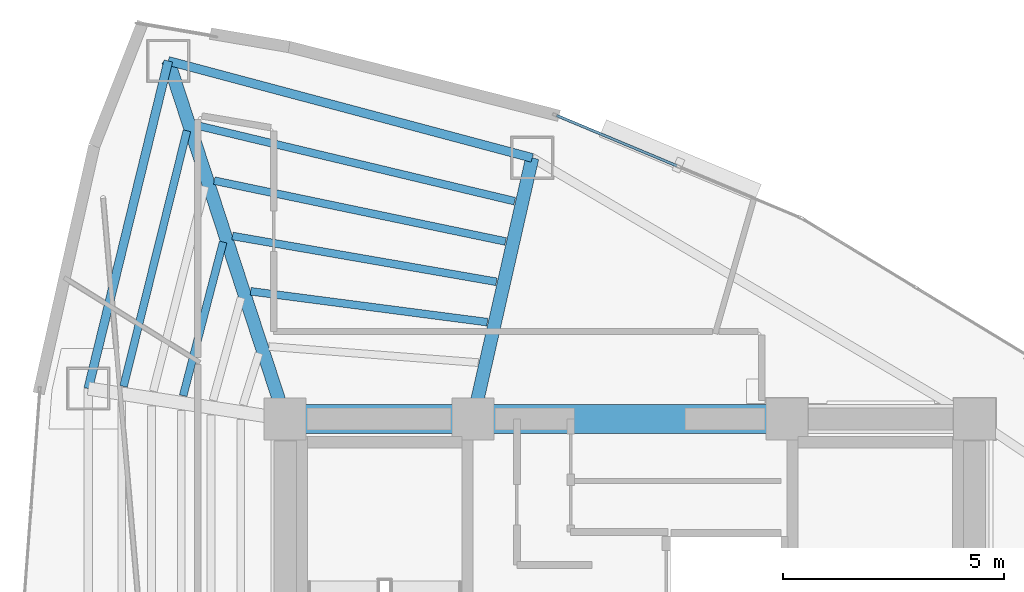
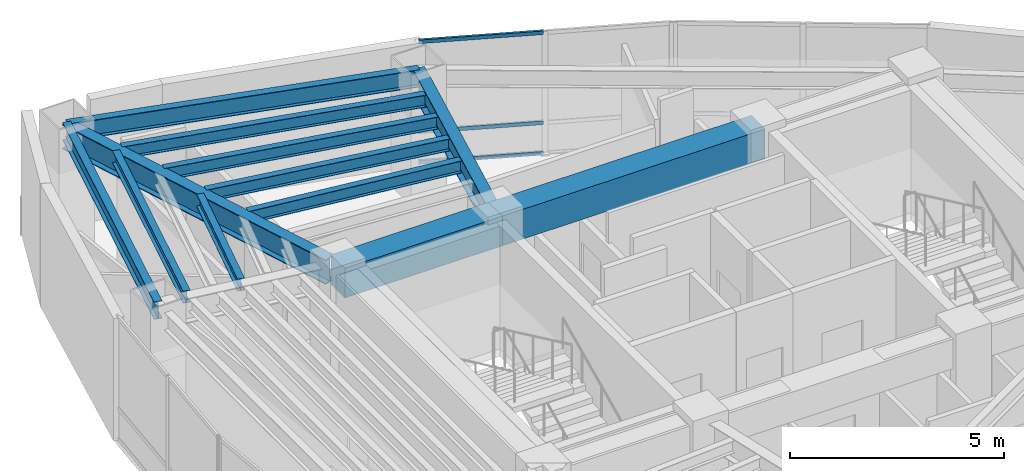
# One storey, part 8 of 16: 12 beams, 3 members, 1 element without a shape of its own.
"""IFC4 building model written with IfcOpenShell, lengths in metres."""

from ifc_helpers import new_model, si_unit, direction, frame, origin, origin_2d, place, context, subcontext, project, spatial, rectangle, hollow_rectangle, i_section, extrude, material, layer, layer_set, material_profile, profile_set, type_object, element, aggregate, save


model = new_model("IFC4")

# Units and contexts
model_context = context("Model", 3, precision=1e-05, world=origin(), true_north=direction((0.0, 1.0)))
body_context = subcontext(model_context, "Body", "Model", "MODEL_VIEW")
ifc_project = project(units=[si_unit("LENGTHUNIT", "METRE"), si_unit("AREAUNIT", "SQUARE_METRE"), si_unit("VOLUMEUNIT", "CUBIC_METRE"), si_unit("PLANEANGLEUNIT", "RADIAN"), si_unit("MASSUNIT", "GRAM", prefix="KILO")], contexts=[model_context])

# Site, building, storey
site_placement = place(None, origin())
site = spatial("IfcSite", under=ifc_project, at=site_placement, CompositionType="ELEMENT")
building_placement = place(site_placement, origin())
building = spatial("IfcBuilding", under=site, at=building_placement, Name="Menara Vayukalpa", CompositionType="ELEMENT")
storey_placement = place(building_placement, frame((0.0, 0.0, 219.5400390625)))
storey = spatial("IfcBuildingStorey", under=building, at=storey_placement, Name="L55", CompositionType="ELEMENT", Elevation=219.5400390625)

# Beams
ifc_material_1 = material(Name="Concrete C60/75", Category="concrete")
ifc_material_profile_1 = material_profile(ifc_material_1, rectangle(XDim=0.64990234375, YDim=0.85009765625, at=origin_2d()), Name="RC 650x850")
ifc_profile_set_1 = profile_set([ifc_material_profile_1], Name="Concrete C60/75")
beam_type_1 = type_object("IfcBeamType", Name="BM-CB1", PredefinedType="BEAM", material=ifc_profile_set_1)
beam_1_placement = place(storey_placement, frame((17.800048828125, 26.800048828125, 3.074951171875), z_axis=(1.0, 0.0, 0.0), x_axis=(0.0, 1.0, 0.0)))
element("IfcBeam", 1, at=beam_1_placement, inside=storey, type_object=beam_type_1, Name="L55 Core Tie Beam CBR4", PredefinedType="BEAM", context=body_context, shape_type="SweptSolid", body=[
    extrude(rectangle(XDim=0.64990234375, YDim=0.85009765625, at=origin_2d()), origin(), (0.0, 0.0, 1.0), 4.25),
])
beam_2_placement = place(storey_placement, frame((22.050048828125, 26.800048828125, 3.074951171875), z_axis=(1.0, 0.0, 0.0), x_axis=(0.0, 1.0, 0.0)))
element("IfcBeam", 2, at=beam_2_placement, inside=storey, type_object=beam_type_1, Name="L55 Core Tie Beam CBR5", PredefinedType="BEAM", context=body_context, shape_type="SweptSolid", body=[
    extrude(rectangle(XDim=0.64990234375, YDim=0.85009765625, at=origin_2d()), origin(), (0.0, 0.0, 1.0), 7.099853515625),
])
ifc_material_2 = material(Name="Steel S355", Category="steel")
ifc_material_profile_2 = material_profile(ifc_material_2, i_section(OverallWidth=0.300048828125, OverallDepth=0.699951171875, WebThickness=0.012939453125, FlangeThickness=0.02392578125, at=origin_2d()), Name="WF 700x300x13x24")
ifc_profile_set_2 = profile_set([ifc_material_profile_2], Name="Steel S355")
beam_type_2 = type_object("IfcBeamType", Name="BM-PG5", PredefinedType="BEAM", material=ifc_profile_set_2)
beam_3_placement = place(storey_placement, frame((22.105224609375, 27.043701171875, 3.14990234375), z_axis=(0.221085149161, 0.975254508741, 0.0), x_axis=(-0.975254508741, 0.221085149161, 0.0)))
element("IfcBeam", 3, at=beam_3_placement, inside=storey, type_object=beam_type_2, Name="L55 Primary Radial Girder RG03", PredefinedType="BEAM", context=body_context, shape_type="SweptSolid", body=[
    extrude(i_section(OverallWidth=0.300048828125, OverallDepth=0.699951171875, WebThickness=0.012939453125, FlangeThickness=0.02392578125, at=origin_2d()), origin(), (0.0, 0.0, 1.0), 5.80859375),
])
beam_4_placement = place(storey_placement, frame((17.722412109375, 27.03759765625, 3.14990234375), z_axis=(-0.310343552153, 0.950624468251, 0.0), x_axis=(-0.950624468251, -0.310343552153, 0.0)))
element("IfcBeam", 4, at=beam_4_placement, inside=storey, type_object=beam_type_2, Name="L55 Primary Radial Girder RG04", PredefinedType="BEAM", context=body_context, shape_type="SweptSolid", body=[
    extrude(i_section(OverallWidth=0.300048828125, OverallDepth=0.699951171875, WebThickness=0.012939453125, FlangeThickness=0.02392578125, at=origin_2d()), origin(), (0.0, 0.0, 1.0), 8.2734375),
])
ifc_material_3 = material(Name="Steel S355", Category="steel")
ifc_material_profile_3 = material_profile(ifc_material_3, i_section(OverallWidth=0.175048828125, OverallDepth=0.35009765625, WebThickness=0.007080078125, FlangeThickness=0.010986328125, at=origin_2d()), Name="WF 350x175x7x11")
ifc_profile_set_3 = profile_set([ifc_material_profile_3], Name="Steel S355")
beam_type_3 = type_object("IfcBeamType", Name="BM-SJ3", PredefinedType="JOIST", material=ifc_profile_set_3)
beam_5_placement = place(storey_placement, frame((22.373291015625, 28.99169921875, 3.324951171875), z_axis=(-0.991612506825, 0.129246417005, 0.0), x_axis=(-0.129246417005, -0.991612506825, 0.0)))
element("IfcBeam", 5, at=beam_5_placement, inside=storey, type_object=beam_type_3, Name="L55 Secondary Floor Joist SJ03-2", PredefinedType="JOIST", context=body_context, shape_type="SweptSolid", body=[
    extrude(i_section(OverallWidth=0.175048828125, OverallDepth=0.35009765625, WebThickness=0.007080078125, FlangeThickness=0.010986328125, at=origin_2d()), origin(), (0.0, 0.0, 1.0), 5.400634765625),
])
beam_6_placement = place(storey_placement, frame((22.579833984375, 29.905029296875, 3.324951171875), z_axis=(-0.985288498293, 0.170899312848, 0.0), x_axis=(-0.170899312848, -0.985288498293, 0.0)))
element("IfcBeam", 6, at=beam_6_placement, inside=storey, type_object=beam_type_3, Name="L55 Secondary Floor Joist SJ03-3", PredefinedType="JOIST", context=body_context, shape_type="SweptSolid", body=[
    extrude(i_section(OverallWidth=0.175048828125, OverallDepth=0.35009765625, WebThickness=0.007080078125, FlangeThickness=0.010986328125, at=origin_2d()), origin(), (0.0, 0.0, 1.0), 6.062744140625),
])
beam_7_placement = place(storey_placement, frame((22.786376953125, 30.817138671875, 3.324951171875), z_axis=(-0.978881984699, 0.204426172569, 0.0), x_axis=(-0.204426172569, -0.978881984699, 0.0)))
element("IfcBeam", 7, at=beam_7_placement, inside=storey, type_object=beam_type_3, Name="L55 Secondary Floor Joist SJ03-4", PredefinedType="JOIST", context=body_context, shape_type="SweptSolid", body=[
    extrude(i_section(OverallWidth=0.175048828125, OverallDepth=0.35009765625, WebThickness=0.007080078125, FlangeThickness=0.010986328125, at=origin_2d()), origin(), (0.0, 0.0, 1.0), 6.734619140625),
])
beam_8_placement = place(storey_placement, frame((22.992919921875, 31.728271484375, 3.324951171875), z_axis=(-0.972733016713, 0.23192774348, 0.0), x_axis=(-0.23192774348, -0.972733016713, 0.0)))
element("IfcBeam", 8, at=beam_8_placement, inside=storey, type_object=beam_type_3, Name="L55 Secondary Floor Joist SJ03-5", PredefinedType="JOIST", context=body_context, shape_type="SweptSolid", body=[
    extrude(i_section(OverallWidth=0.175048828125, OverallDepth=0.35009765625, WebThickness=0.007080078125, FlangeThickness=0.010986328125, at=origin_2d()), origin(), (0.0, 0.0, 1.0), 7.412841796875),
])
beam_9_placement = place(storey_placement, frame((16.395751953125, 30.8056640625, 3.324951171875), z_axis=(-0.251733131911, -0.967796688514, 0.0), x_axis=(0.967796688514, -0.251733131911, 0.0)))
element("IfcBeam", 9, at=beam_9_placement, inside=storey, type_object=beam_type_3, Name="L55 Secondary Floor Joist SJ04-3", PredefinedType="JOIST", context=body_context, shape_type="SweptSolid", body=[
    extrude(i_section(OverallWidth=0.175048828125, OverallDepth=0.35009765625, WebThickness=0.007080078125, FlangeThickness=0.010986328125, at=origin_2d()), origin(), (0.0, 0.0, 1.0), 3.59326171875),
])
beam_10_placement = place(storey_placement, frame((15.576171875, 33.322021484375, 3.324951171875), z_axis=(-0.240539929987, -0.970639244046, 0.0), x_axis=(0.970639244046, -0.240539929987, 0.0)))
element("IfcBeam", 10, at=beam_10_placement, inside=storey, type_object=beam_type_3, Name="L55 Secondary Floor Joist SJ04-5", PredefinedType="JOIST", context=body_context, shape_type="SweptSolid", body=[
    extrude(i_section(OverallWidth=0.175048828125, OverallDepth=0.35009765625, WebThickness=0.007080078125, FlangeThickness=0.010986328125, at=origin_2d()), origin(), (0.0, 0.0, 1.0), 5.9599609375),
])
ifc_material_4 = material(Name="Steel S355", Category="steel")
ifc_material_profile_4 = material_profile(ifc_material_4, i_section(OverallWidth=0.199951171875, OverallDepth=0.5, WebThickness=0.010009765625, FlangeThickness=0.01611328125, at=origin_2d()), Name="WF 500x200x10x16")
ifc_profile_set_4 = profile_set([ifc_material_profile_4], Name="Steel S355")
beam_type_4 = type_object("IfcBeamType", Name="BM-SP3", PredefinedType="SPANDREL", material=ifc_profile_set_4)
beam_11_placement = place(storey_placement, frame((23.389404296875, 32.70849609375, 3.25), z_axis=(-0.966287699272, 0.25746472037, 0.0), x_axis=(-0.25746472037, -0.966287699272, 0.0)))
element("IfcBeam", 11, at=beam_11_placement, inside=storey, type_object=beam_type_4, Name="L55 Perimeter Spandrel Beam SP03", PredefinedType="SPANDREL", context=body_context, shape_type="SweptSolid", body=[
    extrude(i_section(OverallWidth=0.199951171875, OverallDepth=0.5, WebThickness=0.010009765625, FlangeThickness=0.01611328125, at=origin_2d()), origin(), (0.0, 0.0, 1.0), 8.52197265625),
])
beam_12_placement = place(storey_placement, frame((15.15478515625, 34.902587890625, 3.25), z_axis=(-0.237285374413, -0.971439988414, 0.0), x_axis=(0.971439988414, -0.237285374413, 0.0)))
element("IfcBeam", 12, at=beam_12_placement, inside=storey, type_object=beam_type_4, Name="L55 Perimeter Spandrel Beam SP04", PredefinedType="SPANDREL", context=body_context, shape_type="SweptSolid", body=[
    extrude(i_section(OverallWidth=0.199951171875, OverallDepth=0.5, WebThickness=0.010009765625, FlangeThickness=0.01611328125, at=origin_2d()), origin(), (0.0, 0.0, 1.0), 7.63134765625),
])

# Curtain wall, members
ifc_material_5 = material(Name="Anodised Terracotta Aluminium Alloy 6063-T6", Category="masonry")
ifc_layer = layer(ifc_material_5, 0.139892578125)
ifc_layer_set = layer_set([ifc_layer], Name="Anodised Terracotta Aluminium Alloy 6063-T6")
curtain_wall_type = type_object("IfcCurtainWallType", Name="CW-CW5", PredefinedType="USERDEFINED", material=ifc_layer_set)
curtain_wall_placement = place(storey_placement, origin())
curtain_wall = element("IfcCurtainWall", 13, at=curtain_wall_placement, inside=storey, type_object=curtain_wall_type, Name="L55 High Rise Tapered Curtain Wall CW5 05", ObjectType="UNITISED", PredefinedType="USERDEFINED")
ifc_material_6 = material(Name="Anodised Terracotta Aluminium Alloy 6063-T6", Category="masonry")
ifc_material_profile_5 = material_profile(ifc_material_6, hollow_rectangle(XDim=0.06005859375, YDim=0.10498046875, WallThickness=0.0029296875, at=origin_2d()), Name="ALU 60x105x3")
ifc_profile_set_5 = profile_set([ifc_material_profile_5], Name="Anodised Terracotta Aluminium Alloy 6063-T6")
member_type = type_object("IfcMemberType", Name="CWT-CW5", PredefinedType="USERDEFINED", material=ifc_profile_set_5)
member_1_placement = place(storey_placement, frame((26.658447265625, 32.530029296875, 0.030029296875), z_axis=(-0.922543360613, 0.385893440976, 0.0), x_axis=(-0.385893440976, -0.922543360613, 0.0)))
member_1 = element("IfcMember", 14, at=member_1_placement, type_object=member_type, Name="CW5 transom 2.1", ObjectType="TRANSOM", PredefinedType="USERDEFINED", context=body_context, shape_type="SweptSolid", body=[
    extrude(hollow_rectangle(XDim=0.06005859375, YDim=0.10498046875, WallThickness=0.0029296875, at=origin_2d()), origin(), (0.0, 0.0, 1.0), 2.942626953125),
])
member_2_placement = place(storey_placement, frame((26.658447265625, 32.530029296875, 0.89990234375), z_axis=(-0.922543360613, 0.385893440976, 0.0), x_axis=(-0.385893440976, -0.922543360613, 0.0)))
member_2 = element("IfcMember", 15, at=member_2_placement, type_object=member_type, Name="CW5 transom 2.2", ObjectType="TRANSOM", PredefinedType="USERDEFINED", context=body_context, shape_type="SweptSolid", body=[
    extrude(hollow_rectangle(XDim=0.06005859375, YDim=0.10498046875, WallThickness=0.0029296875, at=origin_2d()), origin(), (0.0, 0.0, 1.0), 2.942626953125),
])
member_3_placement = place(storey_placement, frame((26.658447265625, 32.530029296875, 3.469970703125), z_axis=(-0.922543360613, 0.385893440976, 0.0), x_axis=(-0.385893440976, -0.922543360613, 0.0)))
member_3 = element("IfcMember", 16, at=member_3_placement, type_object=member_type, Name="CW5 transom 2.3", ObjectType="TRANSOM", PredefinedType="USERDEFINED", context=body_context, shape_type="SweptSolid", body=[
    extrude(hollow_rectangle(XDim=0.06005859375, YDim=0.10498046875, WallThickness=0.0029296875, at=origin_2d()), origin(), (0.0, 0.0, 1.0), 2.942626953125),
])
aggregate(curtain_wall, [member_1, member_2, member_3])

save(model, "model.ifc")
